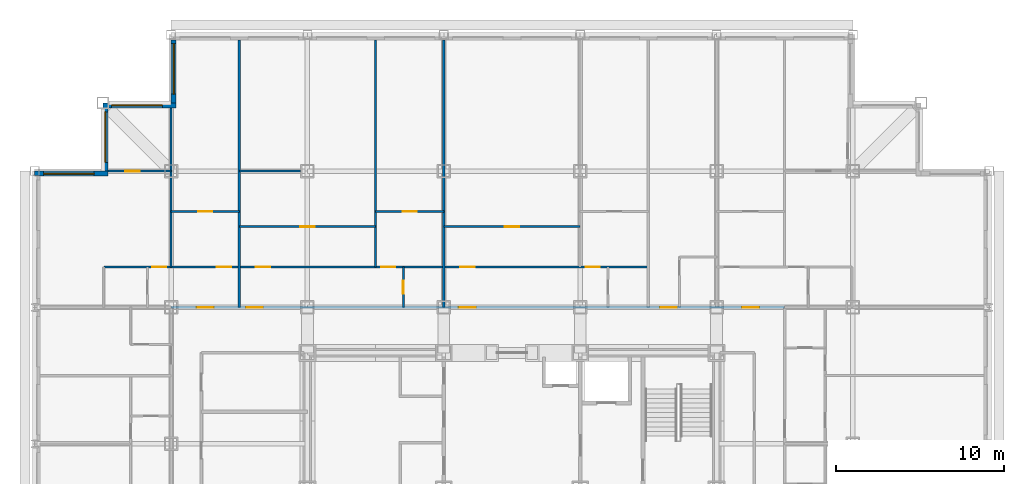
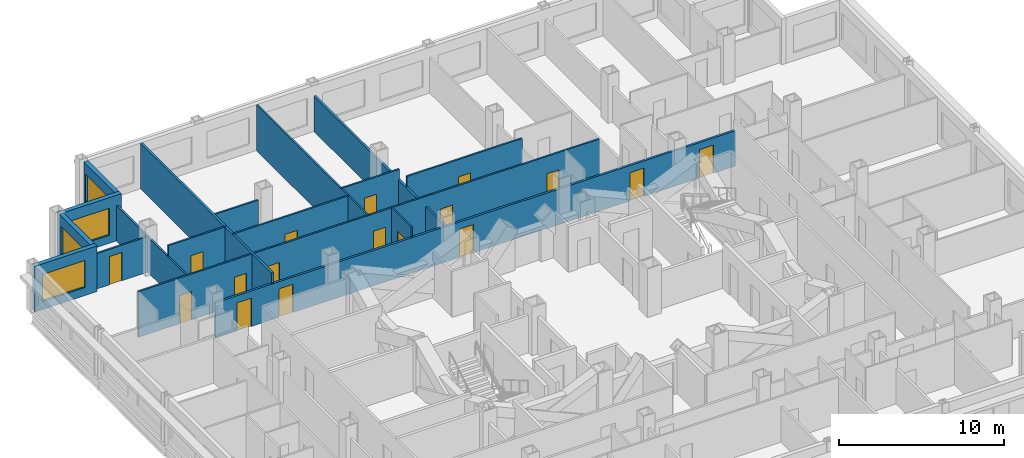
# One storey, part 9 of 12: 17 doors, 17 walls, 4 windows, 21 openings.
"""IFC4 building model written with IfcOpenShell, lengths in metres."""

from ifc_helpers import new_model, si_unit, direction, frame, frame_2d, origin, place, context, subcontext, project, spatial, rectangle, extrude, material, layer, layer_set, type_object, element, fill, save


model = new_model("IFC4")

# Units and contexts
model_context = context("Model", 3, precision=1e-05, world=origin(), true_north=direction((0.0, 1.0)))
body_context = subcontext(model_context, "Body", "Model", "MODEL_VIEW")
ifc_project = project(units=[si_unit("LENGTHUNIT", "METRE"), si_unit("AREAUNIT", "SQUARE_METRE"), si_unit("VOLUMEUNIT", "CUBIC_METRE"), si_unit("PLANEANGLEUNIT", "RADIAN"), si_unit("MASSUNIT", "GRAM", prefix="KILO")], contexts=[model_context])

# Site, building, storey
site_placement = place(None, origin())
site = spatial("IfcSite", under=ifc_project, at=site_placement, CompositionType="ELEMENT")
building_placement = place(site_placement, origin())
building = spatial("IfcBuilding", under=site, at=building_placement, Name="Kopane Lantern Tower", CompositionType="ELEMENT")
storey_placement = place(building_placement, frame((0.0, 0.0, 228.0)))
storey = spatial("IfcBuildingStorey", under=building, at=storey_placement, Name="L59", CompositionType="ELEMENT", Elevation=228.0)

# Wall
ifc_material_1 = material(Name="Gypsum board on steel studs", Category="steel")
ifc_layer_1 = layer(ifc_material_1, 0.1201171875)
ifc_layer_set_1 = layer_set([ifc_layer_1], Name="APARTMENT INTERNAL WALL 120")
wall_type_1 = type_object("IfcWallType", Name="APARTMENT INTERNAL WALL 120", PredefinedType="PARTITIONING", material=ifc_layer_set_1)
wall_1_placement = place(storey_placement, frame((20.25, 45.60009765625, 0.0), z_axis=(0.0, 0.0, 1.0), x_axis=(0.0, 1.0, 0.0)))
element("IfcWall", 1, at=wall_1_placement, inside=storey, type_object=wall_type_1, Name="Apartment Internal Wall 120 L59", PredefinedType="PARTITIONING", context=body_context, shape_type="SweptSolid", body=[
    extrude(rectangle(XDim=13.5, YDim=0.1201171875, at=frame_2d((6.75, 0.0))), origin(), (0.0, 0.0, 1.0), 3.389892578125),
])

# Wall, openings, doors
wall_2_placement = place(storey_placement, frame((4.10009765625, 45.60009765625, 0.0), z_axis=(0.0, 0.0, 1.0), x_axis=(1.0, 0.0, 0.0)))
wall_2 = element("IfcWall", 2, at=wall_2_placement, inside=storey, type_object=wall_type_1, Name="Apartment Internal Wall 120 L59", PredefinedType="PARTITIONING", context=body_context, shape_type="SweptSolid", body=[
    extrude(rectangle(XDim=32.349853515625, YDim=0.1201171875, at=frame_2d((16.1748046875, 0.0))), origin(), (0.0, 0.0, 1.0), 3.389892578125),
])
opening_1_placement = place(wall_2_placement, frame((9.02490234375, 0.0, 0.0)))
opening_1 = element("IfcOpeningElement", 3, at=opening_1_placement, cuts=wall_2, Name="Opening L59-024", PredefinedType="OPENING", context=body_context, shape_type="SweptSolid", body=[
    extrude(rectangle(XDim=0.85009765625, YDim=2.10009765625, at=frame_2d((0.425048828125, 1.050048828125))), frame((0.0, 0.070068359375, 0.0), z_axis=(0.0, -1.0, 0.0), x_axis=(1.0, 0.0, 0.0)), (0.0, 0.0, 1.0), 0.14013671875),
])
opening_2_placement = place(wall_2_placement, frame((16.47509765625, 0.0, 0.0)))
opening_2 = element("IfcOpeningElement", 4, at=opening_2_placement, cuts=wall_2, Name="Opening L59-025", PredefinedType="OPENING", context=body_context, shape_type="SweptSolid", body=[
    extrude(rectangle(XDim=0.85009765625, YDim=2.10009765625, at=frame_2d((0.425048828125, 1.050048828125))), frame((0.0, 0.070068359375, 0.0), z_axis=(0.0, -1.0, 0.0), x_axis=(1.0, 0.0, 0.0)), (0.0, 0.0, 1.0), 0.14013671875),
])
opening_3_placement = place(wall_2_placement, frame((21.175048828125, 0.0, 0.0)))
opening_3 = element("IfcOpeningElement", 5, at=opening_3_placement, cuts=wall_2, Name="Opening L59-028", PredefinedType="OPENING", context=body_context, shape_type="SweptSolid", body=[
    extrude(rectangle(XDim=0.85009765625, YDim=2.10009765625, at=frame_2d((0.425048828125, 1.050048828125))), frame((0.0, 0.070068359375, 0.0), z_axis=(0.0, -1.0, 0.0), x_axis=(1.0, 0.0, 0.0)), (0.0, 0.0, 1.0), 0.14013671875),
])
opening_4_placement = place(wall_2_placement, frame((28.625, 0.0, 0.0)))
opening_4 = element("IfcOpeningElement", 6, at=opening_4_placement, cuts=wall_2, Name="Opening L59-029", PredefinedType="OPENING", context=body_context, shape_type="SweptSolid", body=[
    extrude(rectangle(XDim=0.85009765625, YDim=2.10009765625, at=frame_2d((0.425048828125, 1.050048828125))), frame((0.0, 0.070068359375, 0.0), z_axis=(0.0, -1.0, 0.0), x_axis=(1.0, 0.0, 0.0)), (0.0, 0.0, 1.0), 0.14013671875),
])
opening_5_placement = place(wall_2_placement, frame((6.72509765625, 0.0, 0.0)))
opening_5 = element("IfcOpeningElement", 7, at=opening_5_placement, cuts=wall_2, Name="Opening L59-064", PredefinedType="OPENING", context=body_context, shape_type="SweptSolid", body=[
    extrude(rectangle(XDim=0.85009765625, YDim=2.10009765625, at=frame_2d((0.425048828125, 1.050048828125))), frame((0.0, 0.070068359375, 0.0), z_axis=(0.0, -1.0, 0.0), x_axis=(1.0, 0.0, 0.0)), (0.0, 0.0, 1.0), 0.14013671875),
])
opening_6_placement = place(wall_2_placement, frame((2.875, 0.0, 0.0)))
opening_6 = element("IfcOpeningElement", 8, at=opening_6_placement, cuts=wall_2, Name="Opening L59-066", PredefinedType="OPENING", context=body_context, shape_type="SweptSolid", body=[
    extrude(rectangle(XDim=0.85009765625, YDim=2.10009765625, at=frame_2d((0.425048828125, 1.050048828125))), frame((0.0, 0.070068359375, 0.0), z_axis=(0.0, -1.0, 0.0), x_axis=(1.0, 0.0, 0.0)), (0.0, 0.0, 1.0), 0.14013671875),
])
ifc_material_2 = material(Name="Timber door set", Category="wood")
door_type_1 = type_object("IfcDoorType", Name="DOOR D4 850x2100", OperationType="SINGLE_SWING_LEFT", PredefinedType="DOOR", material=ifc_material_2)
door_1_placement = place(opening_1_placement, origin())
door_1 = element("IfcDoor", 9, at=door_1_placement, inside=storey, type_object=door_type_1, Name="Door L59-024", OperationType="SINGLE_SWING_LEFT", OverallHeight=2.10009765625, OverallWidth=0.85009765625, PredefinedType="DOOR", context=body_context, shape_type="SweptSolid", body=[
    extrude(rectangle(XDim=0.85009765625, YDim=2.10009765625, at=frame_2d((0.425048828125, 1.050048828125))), frame((0.0, 0.02490234375, 0.0), z_axis=(0.0, -1.0, 0.0), x_axis=(1.0, 0.0, 0.0)), (0.0, 0.0, 1.0), 0.050048828125),
])
fill(opening_1, door_1)
door_2_placement = place(opening_2_placement, origin())
door_2 = element("IfcDoor", 10, at=door_2_placement, inside=storey, type_object=door_type_1, Name="Door L59-025", OperationType="SINGLE_SWING_LEFT", OverallHeight=2.10009765625, OverallWidth=0.85009765625, PredefinedType="DOOR", context=body_context, shape_type="SweptSolid", body=[
    extrude(rectangle(XDim=0.85009765625, YDim=2.10009765625, at=frame_2d((0.425048828125, 1.050048828125))), frame((0.0, 0.02490234375, 0.0), z_axis=(0.0, -1.0, 0.0), x_axis=(1.0, 0.0, 0.0)), (0.0, 0.0, 1.0), 0.050048828125),
])
fill(opening_2, door_2)
door_3_placement = place(opening_3_placement, origin())
door_3 = element("IfcDoor", 11, at=door_3_placement, inside=storey, type_object=door_type_1, Name="Door L59-028", OperationType="SINGLE_SWING_LEFT", OverallHeight=2.10009765625, OverallWidth=0.85009765625, PredefinedType="DOOR", context=body_context, shape_type="SweptSolid", body=[
    extrude(rectangle(XDim=0.85009765625, YDim=2.10009765625, at=frame_2d((0.425048828125, 1.050048828125))), frame((0.0, 0.02490234375, 0.0), z_axis=(0.0, -1.0, 0.0), x_axis=(1.0, 0.0, 0.0)), (0.0, 0.0, 1.0), 0.050048828125),
])
fill(opening_3, door_3)
door_4_placement = place(opening_4_placement, origin())
door_4 = element("IfcDoor", 12, at=door_4_placement, inside=storey, type_object=door_type_1, Name="Door L59-029", OperationType="SINGLE_SWING_LEFT", OverallHeight=2.10009765625, OverallWidth=0.85009765625, PredefinedType="DOOR", context=body_context, shape_type="SweptSolid", body=[
    extrude(rectangle(XDim=0.85009765625, YDim=2.10009765625, at=frame_2d((0.425048828125, 1.050048828125))), frame((0.0, 0.02490234375, 0.0), z_axis=(0.0, -1.0, 0.0), x_axis=(1.0, 0.0, 0.0)), (0.0, 0.0, 1.0), 0.050048828125),
])
fill(opening_4, door_4)
door_5_placement = place(opening_5_placement, origin())
door_5 = element("IfcDoor", 13, at=door_5_placement, inside=storey, type_object=door_type_1, Name="Door L59-064", OperationType="SINGLE_SWING_LEFT", OverallHeight=2.10009765625, OverallWidth=0.85009765625, PredefinedType="DOOR", context=body_context, shape_type="SweptSolid", body=[
    extrude(rectangle(XDim=0.85009765625, YDim=2.10009765625, at=frame_2d((0.425048828125, 1.050048828125))), frame((0.0, 0.02490234375, 0.0), z_axis=(0.0, -1.0, 0.0), x_axis=(1.0, 0.0, 0.0)), (0.0, 0.0, 1.0), 0.050048828125),
])
fill(opening_5, door_5)
door_6_placement = place(opening_6_placement, origin())
door_6 = element("IfcDoor", 14, at=door_6_placement, inside=storey, type_object=door_type_1, Name="Door L59-066", OperationType="SINGLE_SWING_RIGHT", OverallHeight=2.10009765625, OverallWidth=0.85009765625, PredefinedType="DOOR", context=body_context, shape_type="SweptSolid", body=[
    extrude(rectangle(XDim=0.85009765625, YDim=2.10009765625, at=frame_2d((0.425048828125, 1.050048828125))), frame((0.0, 0.02490234375, 0.0), z_axis=(0.0, -1.0, 0.0), x_axis=(1.0, 0.0, 0.0)), (0.0, 0.0, 1.0), 0.050048828125),
])
fill(opening_6, door_6)

# Wall
wall_3_placement = place(storey_placement, frame((8.10009765625, 45.60009765625, 0.0), z_axis=(0.0, 0.0, 1.0), x_axis=(0.0, 1.0, 0.0)))
element("IfcWall", 15, at=wall_3_placement, inside=storey, type_object=wall_type_1, Name="Apartment Internal Wall 120 L59", PredefinedType="PARTITIONING", context=body_context, shape_type="SweptSolid", body=[
    extrude(rectangle(XDim=9.449951171875, YDim=0.1201171875, at=frame_2d((4.72509765625, 0.0))), origin(), (0.0, 0.0, 1.0), 2.627685546875),
])

# Wall, opening, door
wall_4_placement = place(storey_placement, frame((8.10009765625, 51.300048828125, 0.0), z_axis=(0.0, 0.0, 1.0), x_axis=(-1.0, 0.0, 0.0)))
wall_4 = element("IfcWall", 16, at=wall_4_placement, inside=storey, type_object=wall_type_1, Name="Apartment Internal Wall 120 L59", PredefinedType="PARTITIONING", context=body_context, shape_type="SweptSolid", body=[
    extrude(rectangle(XDim=3.75, YDim=0.1201171875, at=frame_2d((1.875, 0.0))), origin(), (0.0, 0.0, 1.0), 2.627685546875),
])
opening_7_placement = place(wall_4_placement, frame((1.875, 0.0, 0.0)))
opening_7 = element("IfcOpeningElement", 17, at=opening_7_placement, cuts=wall_4, Name="Opening L59-067", PredefinedType="OPENING", context=body_context, shape_type="SweptSolid", body=[
    extrude(rectangle(XDim=0.85009765625, YDim=2.10009765625, at=frame_2d((0.425048828125, 1.050048828125))), frame((0.0, 0.070068359375, 0.0), z_axis=(0.0, -1.0, 0.0), x_axis=(1.0, 0.0, 0.0)), (0.0, 0.0, 1.0), 0.14013671875),
])
door_7_placement = place(opening_7_placement, origin())
door_7 = element("IfcDoor", 18, at=door_7_placement, inside=storey, type_object=door_type_1, Name="Door L59-067", OperationType="SINGLE_SWING_LEFT", OverallHeight=2.10009765625, OverallWidth=0.85009765625, PredefinedType="DOOR", context=body_context, shape_type="SweptSolid", body=[
    extrude(rectangle(XDim=0.85009765625, YDim=2.10009765625, at=frame_2d((0.425048828125, 1.050048828125))), frame((0.0, 0.02490234375, 0.0), z_axis=(0.0, -1.0, 0.0), x_axis=(1.0, 0.0, 0.0)), (0.0, 0.0, 1.0), 0.050048828125),
])
fill(opening_7, door_7)

wall_5_placement = place(storey_placement, frame((12.14990234375, 48.0, 0.0), z_axis=(0.0, 0.0, 1.0), x_axis=(1.0, 0.0, 0.0)))
wall_5 = element("IfcWall", 19, at=wall_5_placement, inside=storey, type_object=wall_type_1, Name="Apartment Internal Wall 120 L59", PredefinedType="PARTITIONING", context=body_context, shape_type="SweptSolid", body=[
    extrude(rectangle(XDim=8.10009765625, YDim=0.1201171875, at=frame_2d((4.050048828125, 0.0))), origin(), (0.0, 0.0, 1.0), 3.389892578125),
])
opening_8_placement = place(wall_5_placement, frame((3.625, 0.0, 0.0)))
opening_8 = element("IfcOpeningElement", 20, at=opening_8_placement, cuts=wall_5, Name="Opening L59-071", PredefinedType="OPENING", context=body_context, shape_type="SweptSolid", body=[
    extrude(rectangle(XDim=0.85009765625, YDim=2.10009765625, at=frame_2d((0.425048828125, 1.050048828125))), frame((0.0, 0.070068359375, 0.0), z_axis=(0.0, -1.0, 0.0), x_axis=(1.0, 0.0, 0.0)), (0.0, 0.0, 1.0), 0.14013671875),
])
door_8_placement = place(opening_8_placement, origin())
door_8 = element("IfcDoor", 21, at=door_8_placement, inside=storey, type_object=door_type_1, Name="Door L59-071", OperationType="SINGLE_SWING_RIGHT", OverallHeight=2.10009765625, OverallWidth=0.85009765625, PredefinedType="DOOR", context=body_context, shape_type="SweptSolid", body=[
    extrude(rectangle(XDim=0.85009765625, YDim=2.10009765625, at=frame_2d((0.425048828125, 1.050048828125))), frame((0.0, 0.02490234375, 0.0), z_axis=(0.0, -1.0, 0.0), x_axis=(1.0, 0.0, 0.0)), (0.0, 0.0, 1.0), 0.050048828125),
])
fill(opening_8, door_8)

wall_6_placement = place(storey_placement, frame((20.25, 48.89990234375, 0.0), z_axis=(0.0, 0.0, 1.0), x_axis=(1.0, 0.0, 0.0)))
wall_6 = element("IfcWall", 22, at=wall_6_placement, inside=storey, type_object=wall_type_1, Name="Apartment Internal Wall 120 L59", PredefinedType="PARTITIONING", context=body_context, shape_type="SweptSolid", body=[
    extrude(rectangle(XDim=4.050048828125, YDim=0.1201171875, at=frame_2d((2.02490234375, 0.0))), origin(), (0.0, 0.0, 1.0), 3.389892578125),
])
opening_9_placement = place(wall_6_placement, frame((1.60009765625, 0.0, 0.0)))
opening_9 = element("IfcOpeningElement", 23, at=opening_9_placement, cuts=wall_6, Name="Opening L59-072", PredefinedType="OPENING", context=body_context, shape_type="SweptSolid", body=[
    extrude(rectangle(XDim=0.85009765625, YDim=2.10009765625, at=frame_2d((0.425048828125, 1.050048828125))), frame((0.0, 0.070068359375, 0.0), z_axis=(0.0, -1.0, 0.0), x_axis=(1.0, 0.0, 0.0)), (0.0, 0.0, 1.0), 0.14013671875),
])
door_9_placement = place(opening_9_placement, origin())
door_9 = element("IfcDoor", 24, at=door_9_placement, inside=storey, type_object=door_type_1, Name="Door L59-072", OperationType="SINGLE_SWING_RIGHT", OverallHeight=2.10009765625, OverallWidth=0.85009765625, PredefinedType="DOOR", context=body_context, shape_type="SweptSolid", body=[
    extrude(rectangle(XDim=0.85009765625, YDim=2.10009765625, at=frame_2d((0.425048828125, 1.050048828125))), frame((0.0, 0.02490234375, 0.0), z_axis=(0.0, -1.0, 0.0), x_axis=(1.0, 0.0, 0.0)), (0.0, 0.0, 1.0), 0.050048828125),
])
fill(opening_9, door_9)

wall_7_placement = place(storey_placement, frame((24.300048828125, 48.0, 0.0), z_axis=(0.0, 0.0, 1.0), x_axis=(1.0, 0.0, 0.0)))
wall_7 = element("IfcWall", 25, at=wall_7_placement, inside=storey, type_object=wall_type_1, Name="Apartment Internal Wall 120 L59", PredefinedType="PARTITIONING", context=body_context, shape_type="SweptSolid", body=[
    extrude(rectangle(XDim=8.099853515625, YDim=0.1201171875, at=frame_2d((4.0498046875, 0.0))), origin(), (0.0, 0.0, 1.0), 3.389892578125),
])
opening_10_placement = place(wall_7_placement, frame((3.625, 0.0, 0.0)))
opening_10 = element("IfcOpeningElement", 26, at=opening_10_placement, cuts=wall_7, Name="Opening L59-073", PredefinedType="OPENING", context=body_context, shape_type="SweptSolid", body=[
    extrude(rectangle(XDim=0.85009765625, YDim=2.10009765625, at=frame_2d((0.425048828125, 1.050048828125))), frame((0.0, 0.070068359375, 0.0), z_axis=(0.0, -1.0, 0.0), x_axis=(1.0, 0.0, 0.0)), (0.0, 0.0, 1.0), 0.14013671875),
])
door_10_placement = place(opening_10_placement, origin())
door_10 = element("IfcDoor", 27, at=door_10_placement, inside=storey, type_object=door_type_1, Name="Door L59-073", OperationType="SINGLE_SWING_RIGHT", OverallHeight=2.10009765625, OverallWidth=0.85009765625, PredefinedType="DOOR", context=body_context, shape_type="SweptSolid", body=[
    extrude(rectangle(XDim=0.85009765625, YDim=2.10009765625, at=frame_2d((0.425048828125, 1.050048828125))), frame((0.0, 0.02490234375, 0.0), z_axis=(0.0, -1.0, 0.0), x_axis=(1.0, 0.0, 0.0)), (0.0, 0.0, 1.0), 0.050048828125),
])
fill(opening_10, door_10)

wall_8_placement = place(storey_placement, frame((8.10009765625, 48.89990234375, 0.0), z_axis=(0.0, 0.0, 1.0), x_axis=(1.0, 0.0, 0.0)))
wall_8 = element("IfcWall", 28, at=wall_8_placement, inside=storey, type_object=wall_type_1, Name="Apartment Internal Wall 120 L59", PredefinedType="PARTITIONING", context=body_context, shape_type="SweptSolid", body=[
    extrude(rectangle(XDim=4.0498046875, YDim=0.1201171875, at=frame_2d((2.02490234375, 0.0))), origin(), (0.0, 0.0, 1.0), 3.389892578125),
])
opening_11_placement = place(wall_8_placement, frame((1.60009765625, 0.0, 0.0)))
opening_11 = element("IfcOpeningElement", 29, at=opening_11_placement, cuts=wall_8, Name="Opening L59-076", PredefinedType="OPENING", context=body_context, shape_type="SweptSolid", body=[
    extrude(rectangle(XDim=0.85009765625, YDim=2.10009765625, at=frame_2d((0.425048828125, 1.050048828125))), frame((0.0, 0.070068359375, 0.0), z_axis=(0.0, -1.0, 0.0), x_axis=(1.0, 0.0, 0.0)), (0.0, 0.0, 1.0), 0.14013671875),
])
door_11_placement = place(opening_11_placement, origin())
door_11 = element("IfcDoor", 30, at=door_11_placement, inside=storey, type_object=door_type_1, Name="Door L59-076", OperationType="SINGLE_SWING_RIGHT", OverallHeight=2.10009765625, OverallWidth=0.85009765625, PredefinedType="DOOR", context=body_context, shape_type="SweptSolid", body=[
    extrude(rectangle(XDim=0.85009765625, YDim=2.10009765625, at=frame_2d((0.425048828125, 1.050048828125))), frame((0.0, 0.02490234375, 0.0), z_axis=(0.0, -1.0, 0.0), x_axis=(1.0, 0.0, 0.0)), (0.0, 0.0, 1.0), 0.050048828125),
])
fill(opening_11, door_11)

# Wall
wall_9_placement = place(storey_placement, frame((12.14990234375, 51.300048828125, 0.0), z_axis=(0.0, 0.0, 1.0), x_axis=(1.0, 0.0, 0.0)))
element("IfcWall", 31, at=wall_9_placement, inside=storey, type_object=wall_type_1, Name="Apartment Internal Wall 120 L59", PredefinedType="PARTITIONING", context=body_context, shape_type="SweptSolid", body=[
    extrude(rectangle(XDim=3.650146484375, YDim=0.1201171875, at=frame_2d((1.8251953125, 0.0))), origin(), (0.0, 0.0, 1.0), 2.627685546875),
])

# Wall, opening, door
ifc_material_3 = material(Name="Moisture-resistant board on steel studs", Category="steel")
ifc_layer_2 = layer(ifc_material_3, 0.10009765625)
ifc_layer_set_2 = layer_set([ifc_layer_2], Name="BATHROOM WALL 100")
wall_type_2 = type_object("IfcWallType", Name="BATHROOM WALL 100", PredefinedType="PARTITIONING", material=ifc_layer_set_2)
wall_10_placement = place(storey_placement, frame((21.89990234375, 43.199951171875, 0.0), z_axis=(0.0, 0.0, 1.0), x_axis=(0.0, 1.0, 0.0)))
wall_10 = element("IfcWall", 32, at=wall_10_placement, inside=storey, type_object=wall_type_2, Name="Bathroom Wall 100 L59", PredefinedType="PARTITIONING", context=body_context, shape_type="SweptSolid", body=[
    extrude(rectangle(XDim=2.400146484375, YDim=0.10009765625, at=frame_2d((1.2001953125, 0.0))), origin(), (0.0, 0.0, 1.0), 3.389892578125),
])
opening_12_placement = place(wall_10_placement, frame((0.800048828125, 0.0, 0.0)))
opening_12 = element("IfcOpeningElement", 33, at=opening_12_placement, cuts=wall_10, Name="Opening L59-022", PredefinedType="OPENING", context=body_context, shape_type="SweptSolid", body=[
    extrude(rectangle(XDim=0.800048828125, YDim=2.10009765625, at=frame_2d((0.39990234375, 1.050048828125))), frame((0.0, 0.06005859375, 0.0), z_axis=(0.0, -1.0, 0.0), x_axis=(1.0, 0.0, 0.0)), (0.0, 0.0, 1.0), 0.1201171875),
])
ifc_material_4 = material(Name="Timber door set", Category="wood")
door_type_2 = type_object("IfcDoorType", Name="DOOR D2 800x2100", OperationType="SINGLE_SWING_LEFT", PredefinedType="DOOR", material=ifc_material_4)
door_12_placement = place(opening_12_placement, origin())
door_12 = element("IfcDoor", 34, at=door_12_placement, inside=storey, type_object=door_type_2, Name="Door L59-022", OperationType="SINGLE_SWING_RIGHT", OverallHeight=2.10009765625, OverallWidth=0.800048828125, PredefinedType="DOOR", context=body_context, shape_type="SweptSolid", body=[
    extrude(rectangle(XDim=0.800048828125, YDim=2.10009765625, at=frame_2d((0.39990234375, 1.050048828125))), frame((0.0, 0.02490234375, 0.0), z_axis=(0.0, -1.0, 0.0), x_axis=(1.0, 0.0, 0.0)), (0.0, 0.0, 1.0), 0.050048828125),
])
fill(opening_12, door_12)

# Wall, openings, doors
ifc_material_5 = material(Name="Gypsum board on steel studs", Category="steel")
ifc_layer_3 = layer(ifc_material_5, 0.14990234375)
ifc_layer_set_3 = layer_set([ifc_layer_3], Name="CORRIDOR WALL 150 EI 60")
wall_type_3 = type_object("IfcWallType", Name="CORRIDOR WALL 150 EI 60", PredefinedType="PARTITIONING", material=ifc_layer_set_3)
wall_11_placement = place(storey_placement, frame((8.10009765625, 43.199951171875, 0.0), z_axis=(0.0, 0.0, 1.0), x_axis=(1.0, 0.0, 0.0)))
wall_11 = element("IfcWall", 35, at=wall_11_placement, inside=storey, type_object=wall_type_3, Name="Corridor Wall 150 Ei 60 L59", PredefinedType="PARTITIONING", context=body_context, shape_type="SweptSolid", body=[
    extrude(rectangle(XDim=36.449951171875, YDim=0.14990234375, at=frame_2d((18.22509765625, 0.0))), origin(), (0.0, 0.0, 1.0), 2.627685546875),
])
opening_13_placement = place(wall_11_placement, frame((4.449951171875, 0.0, 0.0)))
opening_13 = element("IfcOpeningElement", 36, at=opening_13_placement, cuts=wall_11, Name="Opening L59-023", PredefinedType="OPENING", context=body_context, shape_type="SweptSolid", body=[
    extrude(rectangle(XDim=1.0, YDim=2.10009765625, at=frame_2d((0.5, 1.050048828125))), frame((0.0, 0.0849609375, 0.0), z_axis=(0.0, -1.0, 0.0), x_axis=(1.0, 0.0, 0.0)), (0.0, 0.0, 1.0), 0.169921875),
])
opening_14_placement = place(wall_11_placement, frame((17.10009765625, 0.0, 0.0)))
opening_14 = element("IfcOpeningElement", 37, at=opening_14_placement, cuts=wall_11, Name="Opening L59-027", PredefinedType="OPENING", context=body_context, shape_type="SweptSolid", body=[
    extrude(rectangle(XDim=1.0, YDim=2.10009765625, at=frame_2d((0.5, 1.050048828125))), frame((0.0, 0.0849609375, 0.0), z_axis=(0.0, -1.0, 0.0), x_axis=(1.0, 0.0, 0.0)), (0.0, 0.0, 1.0), 0.169921875),
])
opening_15_placement = place(wall_11_placement, frame((29.050048828125, 0.0, 0.0)))
opening_15 = element("IfcOpeningElement", 38, at=opening_15_placement, cuts=wall_11, Name="Opening L59-031", PredefinedType="OPENING", context=body_context, shape_type="SweptSolid", body=[
    extrude(rectangle(XDim=1.0, YDim=2.10009765625, at=frame_2d((0.5, 1.050048828125))), frame((0.0, 0.0849609375, 0.0), z_axis=(0.0, -1.0, 0.0), x_axis=(1.0, 0.0, 0.0)), (0.0, 0.0, 1.0), 0.169921875),
])
opening_16_placement = place(wall_11_placement, frame((33.925048828125, 0.0, 0.0)))
opening_16 = element("IfcOpeningElement", 39, at=opening_16_placement, cuts=wall_11, Name="Opening L59-058", PredefinedType="OPENING", context=body_context, shape_type="SweptSolid", body=[
    extrude(rectangle(XDim=1.0, YDim=2.10009765625, at=frame_2d((0.5, 1.050048828125))), frame((0.0, 0.0849609375, 0.0), z_axis=(0.0, -1.0, 0.0), x_axis=(1.0, 0.0, 0.0)), (0.0, 0.0, 1.0), 0.169921875),
])
opening_17_placement = place(wall_11_placement, frame((1.52490234375, 0.0, 0.0)))
opening_17 = element("IfcOpeningElement", 40, at=opening_17_placement, cuts=wall_11, Name="Opening L59-063", PredefinedType="OPENING", context=body_context, shape_type="SweptSolid", body=[
    extrude(rectangle(XDim=1.0, YDim=2.10009765625, at=frame_2d((0.5, 1.050048828125))), frame((0.0, 0.0849609375, 0.0), z_axis=(0.0, -1.0, 0.0), x_axis=(1.0, 0.0, 0.0)), (0.0, 0.0, 1.0), 0.169921875),
])
ifc_material_6 = material(Name="Steel door set", Category="steel")
door_type_3 = type_object("IfcDoorType", Name="DOOR D3 1000x2100 FD30S", OperationType="SINGLE_SWING_LEFT", PredefinedType="DOOR", material=ifc_material_6)
door_13_placement = place(opening_13_placement, origin())
door_13 = element("IfcDoor", 41, at=door_13_placement, inside=storey, type_object=door_type_3, Name="Door L59-023", OperationType="SINGLE_SWING_LEFT", OverallHeight=2.10009765625, OverallWidth=1.0, PredefinedType="DOOR", context=body_context, shape_type="SweptSolid", body=[
    extrude(rectangle(XDim=1.0, YDim=2.10009765625, at=frame_2d((0.5, 1.050048828125))), frame((0.0, 0.02490234375, 0.0), z_axis=(0.0, -1.0, 0.0), x_axis=(1.0, 0.0, 0.0)), (0.0, 0.0, 1.0), 0.050048828125),
])
fill(opening_13, door_13)
door_14_placement = place(opening_14_placement, origin())
door_14 = element("IfcDoor", 42, at=door_14_placement, inside=storey, type_object=door_type_3, Name="Door L59-027", OperationType="SINGLE_SWING_LEFT", OverallHeight=2.10009765625, OverallWidth=1.0, PredefinedType="DOOR", context=body_context, shape_type="SweptSolid", body=[
    extrude(rectangle(XDim=1.0, YDim=2.10009765625, at=frame_2d((0.5, 1.050048828125))), frame((0.0, 0.02490234375, 0.0), z_axis=(0.0, -1.0, 0.0), x_axis=(1.0, 0.0, 0.0)), (0.0, 0.0, 1.0), 0.050048828125),
])
fill(opening_14, door_14)
door_15_placement = place(opening_15_placement, origin())
door_15 = element("IfcDoor", 43, at=door_15_placement, inside=storey, type_object=door_type_3, Name="Door L59-031", OperationType="SINGLE_SWING_RIGHT", OverallHeight=2.10009765625, OverallWidth=1.0, PredefinedType="DOOR", context=body_context, shape_type="SweptSolid", body=[
    extrude(rectangle(XDim=1.0, YDim=2.10009765625, at=frame_2d((0.5, 1.050048828125))), frame((0.0, 0.02490234375, 0.0), z_axis=(0.0, -1.0, 0.0), x_axis=(1.0, 0.0, 0.0)), (0.0, 0.0, 1.0), 0.050048828125),
])
fill(opening_15, door_15)
door_16_placement = place(opening_16_placement, origin())
door_16 = element("IfcDoor", 44, at=door_16_placement, inside=storey, type_object=door_type_3, Name="Door L59-058", OperationType="SINGLE_SWING_LEFT", OverallHeight=2.10009765625, OverallWidth=1.0, PredefinedType="DOOR", context=body_context, shape_type="SweptSolid", body=[
    extrude(rectangle(XDim=1.0, YDim=2.10009765625, at=frame_2d((0.5, 1.050048828125))), frame((0.0, 0.02490234375, 0.0), z_axis=(0.0, -1.0, 0.0), x_axis=(1.0, 0.0, 0.0)), (0.0, 0.0, 1.0), 0.050048828125),
])
fill(opening_16, door_16)
door_17_placement = place(opening_17_placement, origin())
door_17 = element("IfcDoor", 45, at=door_17_placement, inside=storey, type_object=door_type_3, Name="Door L59-063", OperationType="SINGLE_SWING_RIGHT", OverallHeight=2.10009765625, OverallWidth=1.0, PredefinedType="DOOR", context=body_context, shape_type="SweptSolid", body=[
    extrude(rectangle(XDim=1.0, YDim=2.10009765625, at=frame_2d((0.5, 1.050048828125))), frame((0.0, 0.02490234375, 0.0), z_axis=(0.0, -1.0, 0.0), x_axis=(1.0, 0.0, 0.0)), (0.0, 0.0, 1.0), 0.050048828125),
])
fill(opening_17, door_17)

# Walls
ifc_material_7 = material(Name="Gypsum board on steel studs", Category="steel")
ifc_layer_4 = layer(ifc_material_7, 0.14990234375)
ifc_layer_set_4 = layer_set([ifc_layer_4], Name="DEMISING WALL 150 EI 60")
wall_type_4 = type_object("IfcWallType", Name="DEMISING WALL 150 EI 60", PredefinedType="PARTITIONING", material=ifc_layer_set_4)
wall_12_placement = place(storey_placement, frame((24.300048828125, 43.199951171875, 0.0), z_axis=(0.0, 0.0, 1.0), x_axis=(0.0, 1.0, 0.0)))
element("IfcWall", 46, at=wall_12_placement, inside=storey, type_object=wall_type_4, Name="Demising Wall 150 Ei 60 L59", PredefinedType="PARTITIONING", context=body_context, shape_type="SweptSolid", body=[
    extrude(rectangle(XDim=15.900146484375, YDim=0.14990234375, at=frame_2d((7.9501953125, 0.0))), origin(), (0.0, 0.0, 1.0), 2.627685546875),
])
wall_13_placement = place(storey_placement, frame((12.14990234375, 43.199951171875, 0.0), z_axis=(0.0, 0.0, 1.0), x_axis=(0.0, 1.0, 0.0)))
element("IfcWall", 47, at=wall_13_placement, inside=storey, type_object=wall_type_4, Name="Demising Wall 150 Ei 60 L59", PredefinedType="PARTITIONING", context=body_context, shape_type="SweptSolid", body=[
    extrude(rectangle(XDim=15.900146484375, YDim=0.14990234375, at=frame_2d((7.9501953125, 0.0))), origin(), (0.0, 0.0, 1.0), 3.389892578125),
])

# Wall, opening, window
ifc_material_8 = material(Name="Terracotta rainscreen on light steel framing", Category="masonry")
ifc_layer_5 = layer(ifc_material_8, 0.300048828125)
ifc_layer_set_5 = layer_set([ifc_layer_5], Name="EXTERNAL WALL EW1 300 TERRACOTTA")
wall_type_5 = type_object("IfcWallType", Name="EXTERNAL WALL EW1 300 TERRACOTTA", PredefinedType="SOLIDWALL", material=ifc_layer_set_5)
wall_14_placement = place(storey_placement, frame((8.25, 59.10009765625, 0.0), z_axis=(0.0, 0.0, 1.0), x_axis=(0.0, -1.0, 0.0)))
wall_14 = element("IfcWall", 48, at=wall_14_placement, inside=storey, type_object=wall_type_5, Name="External wall W L59", PredefinedType="SOLIDWALL", context=body_context, shape_type="SweptSolid", body=[
    extrude(rectangle(XDim=3.75, YDim=0.300048828125, at=frame_2d((1.875, 0.0))), origin(), (0.0, 0.0, 1.0), 3.389892578125),
])
opening_18_placement = place(wall_14_placement, frame((0.22509765625, 0.0, 0.60009765625)))
opening_18 = element("IfcOpeningElement", 49, at=opening_18_placement, cuts=wall_14, Name="Opening WR300200", PredefinedType="OPENING", context=body_context, shape_type="SweptSolid", body=[
    extrude(rectangle(XDim=3.0, YDim=2.0, at=frame_2d((1.5, 1.0))), frame((0.0, 0.159912109375, 0.0), z_axis=(0.0, -1.0, 0.0), x_axis=(1.0, 0.0, 0.0)), (0.0, 0.0, 1.0), 0.320068359375),
])
ifc_material_9 = material(Name="Aluminium and clear glass", Category="aluminium")
window_type = type_object("IfcWindowType", Name="RIBBON WINDOW WR300200 3000x2000", PartitioningType="SINGLE_PANEL", PredefinedType="WINDOW", material=ifc_material_9)
window_1_placement = place(opening_18_placement, origin())
window_1 = element("IfcWindow", 50, at=window_1_placement, inside=storey, type_object=window_type, Name="Window W L59", OverallHeight=2.0, OverallWidth=3.0, PartitioningType="SINGLE_PANEL", PredefinedType="WINDOW", context=body_context, shape_type="SweptSolid", body=[
    extrude(rectangle(XDim=3.0, YDim=2.0, at=frame_2d((1.5, 1.0))), frame((0.0, 0.030029296875, 0.0), z_axis=(0.0, -1.0, 0.0), x_axis=(1.0, 0.0, 0.0)), (0.0, 0.0, 1.0), 0.06005859375),
])
fill(opening_18, window_1)

wall_15_placement = place(storey_placement, frame((8.39990234375, 55.199951171875, 0.0), z_axis=(0.0, 0.0, 1.0), x_axis=(-1.0, 0.0, 0.0)))
wall_15 = element("IfcWall", 51, at=wall_15_placement, inside=storey, type_object=wall_type_5, Name="External wall N L59", PredefinedType="SOLIDWALL", context=body_context, shape_type="SweptSolid", body=[
    extrude(rectangle(XDim=4.349853515625, YDim=0.300048828125, at=frame_2d((2.1748046875, 0.0))), origin(), (0.0, 0.0, 1.0), 3.389892578125),
])
opening_19_placement = place(wall_15_placement, frame((0.824951171875, 0.0, 0.60009765625)))
opening_19 = element("IfcOpeningElement", 52, at=opening_19_placement, cuts=wall_15, Name="Opening WR300200", PredefinedType="OPENING", context=body_context, shape_type="SweptSolid", body=[
    extrude(rectangle(XDim=3.0, YDim=2.0, at=frame_2d((1.5, 1.0))), frame((0.0, 0.159912109375, 0.0), z_axis=(0.0, -1.0, 0.0), x_axis=(1.0, 0.0, 0.0)), (0.0, 0.0, 1.0), 0.320068359375),
])
window_2_placement = place(opening_19_placement, origin())
window_2 = element("IfcWindow", 53, at=window_2_placement, inside=storey, type_object=window_type, Name="Window N L59", OverallHeight=2.0, OverallWidth=3.0, PartitioningType="SINGLE_PANEL", PredefinedType="WINDOW", context=body_context, shape_type="SweptSolid", body=[
    extrude(rectangle(XDim=3.0, YDim=2.0, at=frame_2d((1.5, 1.0))), frame((0.0, 0.030029296875, 0.0), z_axis=(0.0, -1.0, 0.0), x_axis=(1.0, 0.0, 0.0)), (0.0, 0.0, 1.0), 0.06005859375),
])
fill(opening_19, window_2)

wall_16_placement = place(storey_placement, frame((4.199951171875, 55.050048828125, 0.0), z_axis=(0.0, 0.0, 1.0), x_axis=(0.0, -1.0, 0.0)))
wall_16 = element("IfcWall", 54, at=wall_16_placement, inside=storey, type_object=wall_type_5, Name="External wall W L59", PredefinedType="SOLIDWALL", context=body_context, shape_type="SweptSolid", body=[
    extrude(rectangle(XDim=3.75, YDim=0.300048828125, at=frame_2d((1.875, 0.0))), origin(), (0.0, 0.0, 1.0), 3.389892578125),
])
opening_20_placement = place(wall_16_placement, frame((0.22509765625, 0.0, 0.60009765625)))
opening_20 = element("IfcOpeningElement", 55, at=opening_20_placement, cuts=wall_16, Name="Opening WR300200", PredefinedType="OPENING", context=body_context, shape_type="SweptSolid", body=[
    extrude(rectangle(XDim=3.0, YDim=2.0, at=frame_2d((1.5, 1.0))), frame((0.0, 0.159912109375, 0.0), z_axis=(0.0, -1.0, 0.0), x_axis=(1.0, 0.0, 0.0)), (0.0, 0.0, 1.0), 0.320068359375),
])
window_3_placement = place(opening_20_placement, origin())
window_3 = element("IfcWindow", 56, at=window_3_placement, inside=storey, type_object=window_type, Name="Window W L59", OverallHeight=2.0, OverallWidth=3.0, PartitioningType="SINGLE_PANEL", PredefinedType="WINDOW", context=body_context, shape_type="SweptSolid", body=[
    extrude(rectangle(XDim=3.0, YDim=2.0, at=frame_2d((1.5, 1.0))), frame((0.0, 0.030029296875, 0.0), z_axis=(0.0, -1.0, 0.0), x_axis=(1.0, 0.0, 0.0)), (0.0, 0.0, 1.0), 0.06005859375),
])
fill(opening_20, window_3)

wall_17_placement = place(storey_placement, frame((4.35009765625, 51.14990234375, 0.0), z_axis=(0.0, 0.0, 1.0), x_axis=(-1.0, 0.0, 0.0)))
wall_17 = element("IfcWall", 57, at=wall_17_placement, inside=storey, type_object=wall_type_5, Name="External wall N L59", PredefinedType="SOLIDWALL", context=body_context, shape_type="SweptSolid", body=[
    extrude(rectangle(XDim=4.35009765625, YDim=0.300048828125, at=frame_2d((2.175048828125, 0.0))), origin(), (0.0, 0.0, 1.0), 3.389892578125),
])
opening_21_placement = place(wall_17_placement, frame((0.824951171875, 0.0, 0.60009765625)))
opening_21 = element("IfcOpeningElement", 58, at=opening_21_placement, cuts=wall_17, Name="Opening WR300200", PredefinedType="OPENING", context=body_context, shape_type="SweptSolid", body=[
    extrude(rectangle(XDim=3.0, YDim=2.0, at=frame_2d((1.5, 1.0))), frame((0.0, 0.159912109375, 0.0), z_axis=(0.0, -1.0, 0.0), x_axis=(1.0, 0.0, 0.0)), (0.0, 0.0, 1.0), 0.320068359375),
])
window_4_placement = place(opening_21_placement, origin())
window_4 = element("IfcWindow", 59, at=window_4_placement, inside=storey, type_object=window_type, Name="Window N L59", OverallHeight=2.0, OverallWidth=3.0, PartitioningType="SINGLE_PANEL", PredefinedType="WINDOW", context=body_context, shape_type="SweptSolid", body=[
    extrude(rectangle(XDim=3.0, YDim=2.0, at=frame_2d((1.5, 1.0))), frame((0.0, 0.030029296875, 0.0), z_axis=(0.0, -1.0, 0.0), x_axis=(1.0, 0.0, 0.0)), (0.0, 0.0, 1.0), 0.06005859375),
])
fill(opening_21, window_4)

save(model, "model.ifc")
